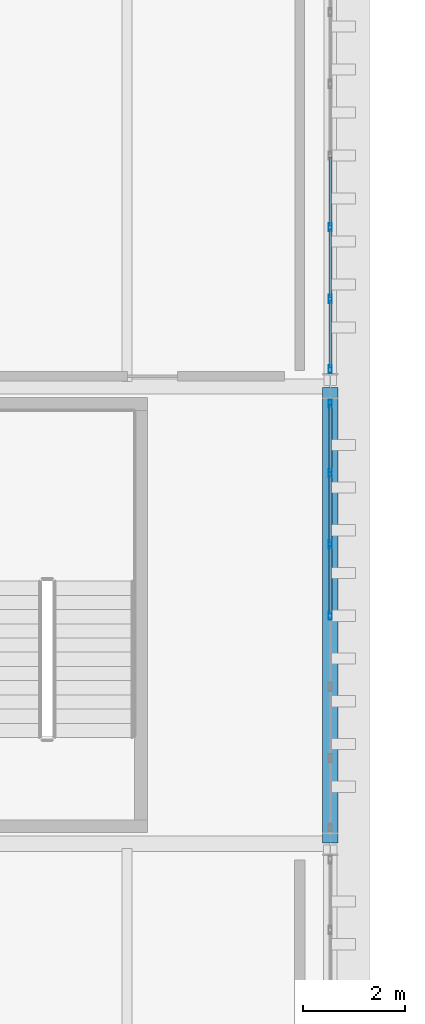
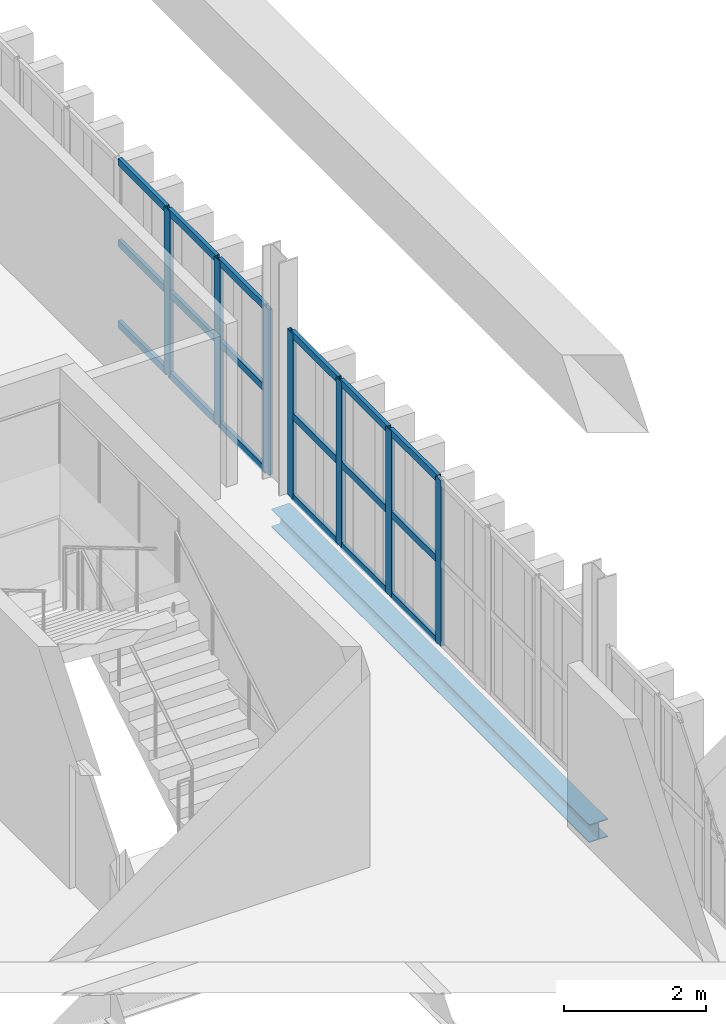
# One storey, part 76 of 102: 25 members, 1 beam, 2 elements without a shape of their own.
"""IFC4 building model written with IfcOpenShell, lengths in metres."""

from ifc_helpers import new_model, si_unit, direction, frame, origin, origin_2d, place, context, subcontext, project, spatial, hollow_rectangle, i_section, extrude, material, layer, layer_set, material_profile, profile_set, type_object, element, aggregate, save


model = new_model("IFC4")

# Units and contexts
model_context = context("Model", 3, precision=1e-05, world=origin(), true_north=direction((0.0, 1.0)))
body_context = subcontext(model_context, "Body", "Model", "MODEL_VIEW")
ifc_project = project(units=[si_unit("LENGTHUNIT", "METRE"), si_unit("AREAUNIT", "SQUARE_METRE"), si_unit("VOLUMEUNIT", "CUBIC_METRE"), si_unit("PLANEANGLEUNIT", "RADIAN"), si_unit("MASSUNIT", "GRAM", prefix="KILO")], contexts=[model_context])

# Site, building, storey
site_placement = place(None, origin())
site = spatial("IfcSite", under=ifc_project, at=site_placement, CompositionType="ELEMENT")
building_placement = place(site_placement, origin())
building = spatial("IfcBuilding", under=site, at=building_placement, Name="Barlavento Convention Centre", CompositionType="ELEMENT")
storey_placement = place(building_placement, frame((0.0, 0.0, 22.800048828125)))
storey = spatial("IfcBuildingStorey", under=building, at=storey_placement, Name="L04", CompositionType="ELEMENT", Elevation=22.800048828125)

# Curtain wall, members
ifc_material_1 = material(Name="Powder-coated aluminium and Low-E glass", Category="aluminium")
ifc_layer = layer(ifc_material_1, 0.18505859375)
ifc_layer_set = layer_set([ifc_layer], Name="ARC-CW-CONF-L04")
curtain_wall_type = type_object("IfcCurtainWallType", Name="ARC-CW-CONF-L04", PredefinedType="NOTDEFINED", material=ifc_layer_set)
curtain_wall_1_placement = place(storey_placement, origin())
curtain_wall_1 = element("IfcCurtainWall", 1, at=curtain_wall_1_placement, inside=storey, type_object=curtain_wall_type, Name="L04 unitised curtain wall CW09", PredefinedType="NOTDEFINED")
ifc_material_2 = material(Name="Powder-coated aluminium", Category="aluminium")
ifc_material_profile_1 = material_profile(ifc_material_2, hollow_rectangle(XDim=0.06005859375, YDim=0.159912109375, WallThickness=0.00390625, at=origin_2d()), Name="AL-MULL 60x160x4")
ifc_profile_set_1 = profile_set([ifc_material_profile_1], Name="Powder-coated aluminium")
member_type_1 = type_object("IfcMemberType", Name="ARC-CWM-60X160", PredefinedType="MULLION", material=ifc_profile_set_1)
member_1_placement = place(storey_placement, frame((192.0, 76.487548828125, 0.0), z_axis=(0.0, 0.0, 1.0), x_axis=(-1.0, 0.0, 0.0)))
member_1 = element("IfcMember", 2, at=member_1_placement, type_object=member_type_1, Name="CW09 mullion 4", PredefinedType="MULLION", context=body_context, shape_type="SweptSolid", body=[
    extrude(hollow_rectangle(XDim=0.06005859375, YDim=0.159912109375, WallThickness=0.00390625, at=origin_2d()), origin(), (0.0, 0.0, 1.0), 2.849853515625),
])
member_2_placement = place(storey_placement, frame((192.0, 77.888427734375, 0.0), z_axis=(0.0, 0.0, 1.0), x_axis=(-1.0, 0.0, 0.0)))
member_2 = element("IfcMember", 3, at=member_2_placement, type_object=member_type_1, Name="CW09 mullion 5", PredefinedType="MULLION", context=body_context, shape_type="SweptSolid", body=[
    extrude(hollow_rectangle(XDim=0.06005859375, YDim=0.159912109375, WallThickness=0.00390625, at=origin_2d()), origin(), (0.0, 0.0, 1.0), 2.849853515625),
])
member_3_placement = place(storey_placement, frame((192.0, 79.2890625, 0.0), z_axis=(0.0, 0.0, 1.0), x_axis=(-1.0, 0.0, 0.0)))
member_3 = element("IfcMember", 4, at=member_3_placement, type_object=member_type_1, Name="CW09 mullion 6", PredefinedType="MULLION", context=body_context, shape_type="SweptSolid", body=[
    extrude(hollow_rectangle(XDim=0.06005859375, YDim=0.159912109375, WallThickness=0.00390625, at=origin_2d()), origin(), (0.0, 0.0, 1.0), 2.849853515625),
])
member_4_placement = place(storey_placement, frame((192.0, 80.659912109375, 0.0), z_axis=(0.0, 0.0, 1.0), x_axis=(-1.0, 0.0, 0.0)))
member_4 = element("IfcMember", 5, at=member_4_placement, type_object=member_type_1, Name="CW09 mullion 7", PredefinedType="MULLION", context=body_context, shape_type="SweptSolid", body=[
    extrude(hollow_rectangle(XDim=0.06005859375, YDim=0.159912109375, WallThickness=0.00390625, at=origin_2d()), origin(), (0.0, 0.0, 1.0), 2.849853515625),
])

curtain_wall_2_placement = place(storey_placement, origin())
curtain_wall_2 = element("IfcCurtainWall", 6, at=curtain_wall_2_placement, inside=storey, type_object=curtain_wall_type, Name="L04 unitised curtain wall CW09", PredefinedType="NOTDEFINED")
member_5_placement = place(storey_placement, frame((192.0, 81.340087890625, 0.0), z_axis=(0.0, 0.0, 1.0), x_axis=(-1.0, 0.0, 0.0)))
member_5 = element("IfcMember", 7, at=member_5_placement, type_object=member_type_1, Name="CW09 mullion 1", PredefinedType="MULLION", context=body_context, shape_type="SweptSolid", body=[
    extrude(hollow_rectangle(XDim=0.06005859375, YDim=0.159912109375, WallThickness=0.00390625, at=origin_2d()), origin(), (0.0, 0.0, 1.0), 2.849853515625),
])
member_6_placement = place(storey_placement, frame((192.0, 82.719970703125, 0.0), z_axis=(0.0, 0.0, 1.0), x_axis=(-1.0, 0.0, 0.0)))
member_6 = element("IfcMember", 8, at=member_6_placement, type_object=member_type_1, Name="CW09 mullion 2", PredefinedType="MULLION", context=body_context, shape_type="SweptSolid", body=[
    extrude(hollow_rectangle(XDim=0.06005859375, YDim=0.159912109375, WallThickness=0.00390625, at=origin_2d()), origin(), (0.0, 0.0, 1.0), 2.849853515625),
])
member_7_placement = place(storey_placement, frame((192.0, 84.1298828125, 0.0), z_axis=(0.0, 0.0, 1.0), x_axis=(-1.0, 0.0, 0.0)))
member_7 = element("IfcMember", 9, at=member_7_placement, type_object=member_type_1, Name="CW09 mullion 3", PredefinedType="MULLION", context=body_context, shape_type="SweptSolid", body=[
    extrude(hollow_rectangle(XDim=0.06005859375, YDim=0.159912109375, WallThickness=0.00390625, at=origin_2d()), origin(), (0.0, 0.0, 1.0), 2.849853515625),
])

# Member
ifc_material_profile_2 = material_profile(ifc_material_2, hollow_rectangle(XDim=0.06005859375, YDim=0.1201171875, WallThickness=0.00390625, at=origin_2d()), Name="AL-TRAN 60x120x4")
ifc_profile_set_2 = profile_set([ifc_material_profile_2], Name="Powder-coated aluminium")
member_type_2 = type_object("IfcMemberType", Name="ARC-CWT-60X120", PredefinedType="USERDEFINED", material=ifc_profile_set_2)
member_8_placement = place(storey_placement, frame((192.0, 76.517578125, 0.030029296875), z_axis=(0.0, 1.0, 0.0), x_axis=(-1.0, 0.0, 0.0)))
member_8 = element("IfcMember", 10, at=member_8_placement, type_object=member_type_2, Name="CW09 transom 4.1", ObjectType="TRANSOM", PredefinedType="USERDEFINED", context=body_context, shape_type="SweptSolid", body=[
    extrude(hollow_rectangle(XDim=0.06005859375, YDim=0.1201171875, WallThickness=0.00390625, at=origin_2d()), origin(), (0.0, 0.0, 1.0), 1.3408203125),
])

member_9_placement = place(storey_placement, frame((192.0, 76.517578125, 1.425048828125), z_axis=(0.0, 1.0, 0.0), x_axis=(-1.0, 0.0, 0.0)))
member_9 = element("IfcMember", 11, at=member_9_placement, type_object=member_type_2, Name="CW09 transom 4.2", ObjectType="TRANSOM", PredefinedType="USERDEFINED", context=body_context, shape_type="SweptSolid", body=[
    extrude(hollow_rectangle(XDim=0.06005859375, YDim=0.1201171875, WallThickness=0.00390625, at=origin_2d()), origin(), (0.0, 0.0, 1.0), 1.3408203125),
])

member_10_placement = place(storey_placement, frame((192.0, 76.517578125, 2.820068359375), z_axis=(0.0, 1.0, 0.0), x_axis=(-1.0, 0.0, 0.0)))
member_10 = element("IfcMember", 12, at=member_10_placement, type_object=member_type_2, Name="CW09 transom 4.3", ObjectType="TRANSOM", PredefinedType="USERDEFINED", context=body_context, shape_type="SweptSolid", body=[
    extrude(hollow_rectangle(XDim=0.06005859375, YDim=0.1201171875, WallThickness=0.00390625, at=origin_2d()), origin(), (0.0, 0.0, 1.0), 1.3408203125),
])

member_11_placement = place(storey_placement, frame((192.0, 77.918212890625, 0.030029296875), z_axis=(0.0, 1.0, 0.0), x_axis=(-1.0, 0.0, 0.0)))
member_11 = element("IfcMember", 13, at=member_11_placement, type_object=member_type_2, Name="CW09 transom 5.1", ObjectType="TRANSOM", PredefinedType="USERDEFINED", context=body_context, shape_type="SweptSolid", body=[
    extrude(hollow_rectangle(XDim=0.06005859375, YDim=0.1201171875, WallThickness=0.00390625, at=origin_2d()), origin(), (0.0, 0.0, 1.0), 1.341064453125),
])

member_12_placement = place(storey_placement, frame((192.0, 77.918212890625, 1.425048828125), z_axis=(0.0, 1.0, 0.0), x_axis=(-1.0, 0.0, 0.0)))
member_12 = element("IfcMember", 14, at=member_12_placement, type_object=member_type_2, Name="CW09 transom 5.2", ObjectType="TRANSOM", PredefinedType="USERDEFINED", context=body_context, shape_type="SweptSolid", body=[
    extrude(hollow_rectangle(XDim=0.06005859375, YDim=0.1201171875, WallThickness=0.00390625, at=origin_2d()), origin(), (0.0, 0.0, 1.0), 1.341064453125),
])

member_13_placement = place(storey_placement, frame((192.0, 77.918212890625, 2.820068359375), z_axis=(0.0, 1.0, 0.0), x_axis=(-1.0, 0.0, 0.0)))
member_13 = element("IfcMember", 15, at=member_13_placement, type_object=member_type_2, Name="CW09 transom 5.3", ObjectType="TRANSOM", PredefinedType="USERDEFINED", context=body_context, shape_type="SweptSolid", body=[
    extrude(hollow_rectangle(XDim=0.06005859375, YDim=0.1201171875, WallThickness=0.00390625, at=origin_2d()), origin(), (0.0, 0.0, 1.0), 1.341064453125),
])

member_14_placement = place(storey_placement, frame((192.0, 79.319091796875, 0.030029296875), z_axis=(0.0, 1.0, 0.0), x_axis=(-1.0, 0.0, 0.0)))
member_14 = element("IfcMember", 16, at=member_14_placement, type_object=member_type_2, Name="CW09 transom 6.1", ObjectType="TRANSOM", PredefinedType="USERDEFINED", context=body_context, shape_type="SweptSolid", body=[
    extrude(hollow_rectangle(XDim=0.06005859375, YDim=0.1201171875, WallThickness=0.00390625, at=origin_2d()), origin(), (0.0, 0.0, 1.0), 1.310791015625),
])

member_15_placement = place(storey_placement, frame((192.0, 79.319091796875, 1.425048828125), z_axis=(0.0, 1.0, 0.0), x_axis=(-1.0, 0.0, 0.0)))
member_15 = element("IfcMember", 17, at=member_15_placement, type_object=member_type_2, Name="CW09 transom 6.2", ObjectType="TRANSOM", PredefinedType="USERDEFINED", context=body_context, shape_type="SweptSolid", body=[
    extrude(hollow_rectangle(XDim=0.06005859375, YDim=0.1201171875, WallThickness=0.00390625, at=origin_2d()), origin(), (0.0, 0.0, 1.0), 1.310791015625),
])

member_16_placement = place(storey_placement, frame((192.0, 79.319091796875, 2.820068359375), z_axis=(0.0, 1.0, 0.0), x_axis=(-1.0, 0.0, 0.0)))
member_16 = element("IfcMember", 18, at=member_16_placement, type_object=member_type_2, Name="CW09 transom 6.3", ObjectType="TRANSOM", PredefinedType="USERDEFINED", context=body_context, shape_type="SweptSolid", body=[
    extrude(hollow_rectangle(XDim=0.06005859375, YDim=0.1201171875, WallThickness=0.00390625, at=origin_2d()), origin(), (0.0, 0.0, 1.0), 1.310791015625),
])

aggregate(curtain_wall_1, [member_1, member_2, member_3, member_4, member_8, member_9, member_10, member_11, member_12, member_13, member_14, member_15, member_16])

member_17_placement = place(storey_placement, frame((192.0, 81.3701171875, 0.030029296875), z_axis=(0.0, 1.0, 0.0), x_axis=(-1.0, 0.0, 0.0)))
member_17 = element("IfcMember", 19, at=member_17_placement, type_object=member_type_2, Name="CW09 transom 1.1", ObjectType="TRANSOM", PredefinedType="USERDEFINED", context=body_context, shape_type="SweptSolid", body=[
    extrude(hollow_rectangle(XDim=0.06005859375, YDim=0.1201171875, WallThickness=0.00390625, at=origin_2d()), origin(), (0.0, 0.0, 1.0), 1.31982421875),
])

member_18_placement = place(storey_placement, frame((192.0, 81.3701171875, 1.425048828125), z_axis=(0.0, 1.0, 0.0), x_axis=(-1.0, 0.0, 0.0)))
member_18 = element("IfcMember", 20, at=member_18_placement, type_object=member_type_2, Name="CW09 transom 1.2", ObjectType="TRANSOM", PredefinedType="USERDEFINED", context=body_context, shape_type="SweptSolid", body=[
    extrude(hollow_rectangle(XDim=0.06005859375, YDim=0.1201171875, WallThickness=0.00390625, at=origin_2d()), origin(), (0.0, 0.0, 1.0), 1.31982421875),
])

member_19_placement = place(storey_placement, frame((192.0, 81.3701171875, 2.820068359375), z_axis=(0.0, 1.0, 0.0), x_axis=(-1.0, 0.0, 0.0)))
member_19 = element("IfcMember", 21, at=member_19_placement, type_object=member_type_2, Name="CW09 transom 1.3", ObjectType="TRANSOM", PredefinedType="USERDEFINED", context=body_context, shape_type="SweptSolid", body=[
    extrude(hollow_rectangle(XDim=0.06005859375, YDim=0.1201171875, WallThickness=0.00390625, at=origin_2d()), origin(), (0.0, 0.0, 1.0), 1.31982421875),
])

member_20_placement = place(storey_placement, frame((192.0, 82.75, 0.030029296875), z_axis=(0.0, 1.0, 0.0), x_axis=(-1.0, 0.0, 0.0)))
member_20 = element("IfcMember", 22, at=member_20_placement, type_object=member_type_2, Name="CW09 transom 2.1", ObjectType="TRANSOM", PredefinedType="USERDEFINED", context=body_context, shape_type="SweptSolid", body=[
    extrude(hollow_rectangle(XDim=0.06005859375, YDim=0.1201171875, WallThickness=0.00390625, at=origin_2d()), origin(), (0.0, 0.0, 1.0), 1.35009765625),
])

member_21_placement = place(storey_placement, frame((192.0, 82.75, 1.425048828125), z_axis=(0.0, 1.0, 0.0), x_axis=(-1.0, 0.0, 0.0)))
member_21 = element("IfcMember", 23, at=member_21_placement, type_object=member_type_2, Name="CW09 transom 2.2", ObjectType="TRANSOM", PredefinedType="USERDEFINED", context=body_context, shape_type="SweptSolid", body=[
    extrude(hollow_rectangle(XDim=0.06005859375, YDim=0.1201171875, WallThickness=0.00390625, at=origin_2d()), origin(), (0.0, 0.0, 1.0), 1.35009765625),
])

member_22_placement = place(storey_placement, frame((192.0, 82.75, 2.820068359375), z_axis=(0.0, 1.0, 0.0), x_axis=(-1.0, 0.0, 0.0)))
member_22 = element("IfcMember", 24, at=member_22_placement, type_object=member_type_2, Name="CW09 transom 2.3", ObjectType="TRANSOM", PredefinedType="USERDEFINED", context=body_context, shape_type="SweptSolid", body=[
    extrude(hollow_rectangle(XDim=0.06005859375, YDim=0.1201171875, WallThickness=0.00390625, at=origin_2d()), origin(), (0.0, 0.0, 1.0), 1.35009765625),
])

member_23_placement = place(storey_placement, frame((192.0, 84.159912109375, 0.030029296875), z_axis=(0.0, 1.0, 0.0), x_axis=(-1.0, 0.0, 0.0)))
member_23 = element("IfcMember", 25, at=member_23_placement, type_object=member_type_2, Name="CW09 transom 3.1", ObjectType="TRANSOM", PredefinedType="USERDEFINED", context=body_context, shape_type="SweptSolid", body=[
    extrude(hollow_rectangle(XDim=0.06005859375, YDim=0.1201171875, WallThickness=0.00390625, at=origin_2d()), origin(), (0.0, 0.0, 1.0), 1.35009765625),
])

member_24_placement = place(storey_placement, frame((192.0, 84.159912109375, 1.425048828125), z_axis=(0.0, 1.0, 0.0), x_axis=(-1.0, 0.0, 0.0)))
member_24 = element("IfcMember", 26, at=member_24_placement, type_object=member_type_2, Name="CW09 transom 3.2", ObjectType="TRANSOM", PredefinedType="USERDEFINED", context=body_context, shape_type="SweptSolid", body=[
    extrude(hollow_rectangle(XDim=0.06005859375, YDim=0.1201171875, WallThickness=0.00390625, at=origin_2d()), origin(), (0.0, 0.0, 1.0), 1.35009765625),
])

member_25_placement = place(storey_placement, frame((192.0, 84.159912109375, 2.820068359375), z_axis=(0.0, 1.0, 0.0), x_axis=(-1.0, 0.0, 0.0)))
member_25 = element("IfcMember", 27, at=member_25_placement, type_object=member_type_2, Name="CW09 transom 3.3", ObjectType="TRANSOM", PredefinedType="USERDEFINED", context=body_context, shape_type="SweptSolid", body=[
    extrude(hollow_rectangle(XDim=0.06005859375, YDim=0.1201171875, WallThickness=0.00390625, at=origin_2d()), origin(), (0.0, 0.0, 1.0), 1.35009765625),
])

aggregate(curtain_wall_2, [member_5, member_6, member_7, member_17, member_18, member_19, member_20, member_21, member_22, member_23, member_24, member_25])

# Beam
ifc_material_3 = material(Name="Steel S355", Category="steel")
ifc_material_profile_3 = material_profile(ifc_material_3, i_section(OverallWidth=0.300048828125, OverallDepth=0.31005859375, WebThickness=0.009033203125, FlangeThickness=0.015380859375, FilletRadius=0.027099609375, at=origin_2d()), Name="HEA 320")
ifc_profile_set_3 = profile_set([ifc_material_profile_3], Name="Steel S355")
beam_type = type_object("IfcBeamType", Name="STR-BM-SPN-HEA320", PredefinedType="SPANDREL", material=ifc_profile_set_3)
beam_placement = place(storey_placement, frame((192.0, 72.02001953125, -0.51513671875), z_axis=(0.0, 1.0, 0.0), x_axis=(-1.0, 0.0, 0.0)))
element("IfcBeam", 28, at=beam_placement, inside=storey, type_object=beam_type, Name="L04 grid girder SP01", PredefinedType="SPANDREL", context=body_context, shape_type="SweptSolid", body=[
    extrude(i_section(OverallWidth=0.300048828125, OverallDepth=0.31005859375, WebThickness=0.009033203125, FlangeThickness=0.015380859375, FilletRadius=0.027099609375, at=origin_2d()), origin(), (0.0, 0.0, 1.0), 8.9599609375),
])

save(model, "model.ifc")
